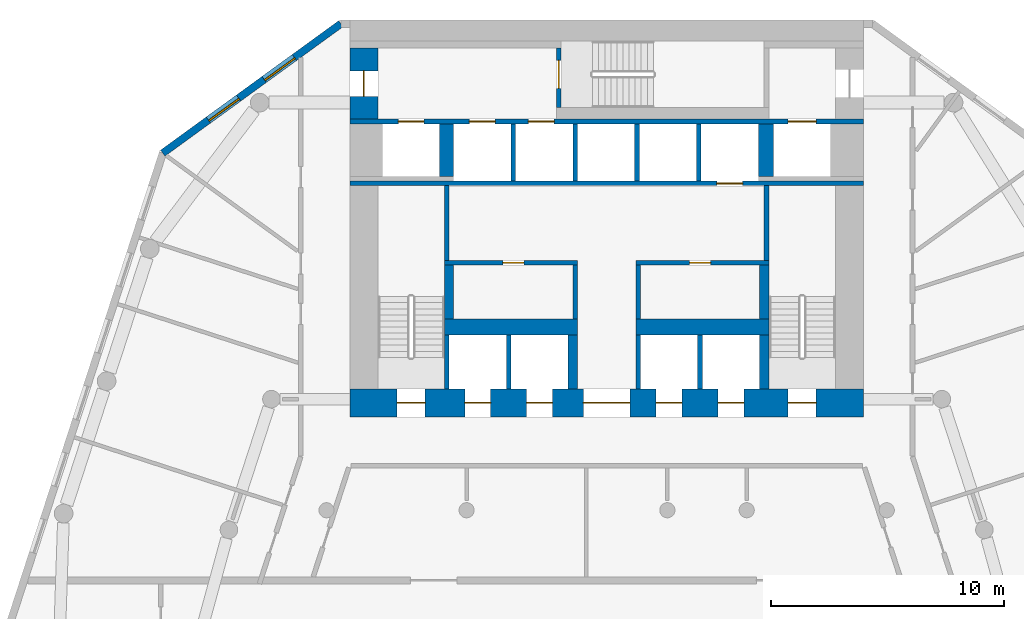
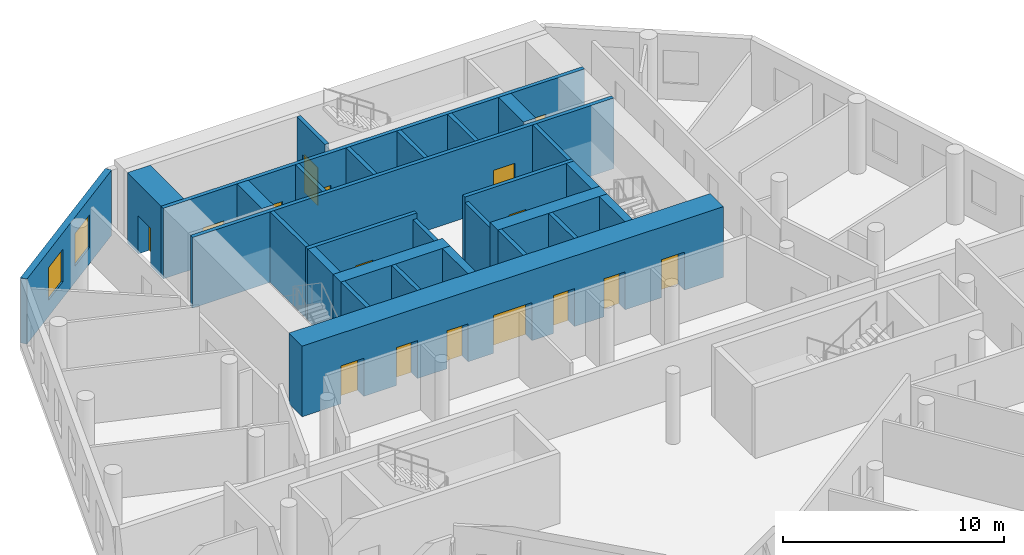
# One storey, part 5 of 9: 28 walls, 16 doors, 2 windows, 18 openings.
"""IFC4 building model written with IfcOpenShell, lengths in metres."""

from ifc_helpers import new_model, si_unit, direction, frame, frame_2d, origin, place, context, subcontext, project, spatial, rectangle, extrude, material, layer, layer_set, type_object, element, fill, save


model = new_model("IFC4")

# Units and contexts
model_context = context("Model", 3, precision=1e-05, world=origin(), true_north=direction((0.0, 1.0)))
body_context = subcontext(model_context, "Body", "Model", "MODEL_VIEW")
ifc_project = project(units=[si_unit("LENGTHUNIT", "METRE"), si_unit("AREAUNIT", "SQUARE_METRE"), si_unit("VOLUMEUNIT", "CUBIC_METRE"), si_unit("PLANEANGLEUNIT", "RADIAN"), si_unit("MASSUNIT", "GRAM", prefix="KILO")], contexts=[model_context])

# Site, building, storey
site_placement = place(None, origin())
site = spatial("IfcSite", under=ifc_project, at=site_placement, CompositionType="ELEMENT")
building_placement = place(site_placement, origin())
building = spatial("IfcBuilding", under=site, at=building_placement, Name="White Candle Pilgrim Tower", CompositionType="ELEMENT")
storey_placement = place(building_placement, frame((0.0, 0.0, 74.10009765625)))
storey = spatial("IfcBuildingStorey", under=building, at=storey_placement, Name="L15", CompositionType="ELEMENT", Elevation=74.10009765625)

# Wall, opening, door
ifc_material_1 = material(Name="Concrete C70/85", Category="concrete")
ifc_layer_1 = layer(ifc_material_1, 1.199951171875)
ifc_layer_set_1 = layer_set([ifc_layer_1], Name="Core wall 1200 mm Concrete C70/85")
wall_type_1 = type_object("IfcWallType", Name="Core wall 1200 mm Concrete C70/85", PredefinedType="SHEAR", material=ifc_layer_set_1)
wall_1_placement = place(storey_placement, frame((59.60009765625, 83.75, 0.0), z_axis=(0.0, 0.0, 1.0), x_axis=(0.0, 1.0, 0.0)))
wall_1 = element("IfcWall", 1, at=wall_1_placement, inside=storey, type_object=wall_type_1, Name="WL-L15-C42", PredefinedType="SHEAR", context=body_context, shape_type="SweptSolid", body=[
    extrude(rectangle(XDim=3.050048828125, YDim=1.199951171875, at=frame_2d((1.52490234375, 0.0))), origin(), (0.0, 0.0, 1.0), 3.89990234375),
])
opening_1_placement = place(wall_1_placement, frame((0.97509765625, 0.0, 0.0)))
opening_1 = element("IfcOpeningElement", 2, at=opening_1_placement, cuts=wall_1, Name="Opening T04-005", PredefinedType="OPENING", context=body_context, shape_type="SweptSolid", body=[
    extrude(rectangle(XDim=1.10009765625, YDim=2.10009765625, at=frame_2d((0.550048828125, 1.050048828125))), frame((0.0, 0.60986328125, 0.0), z_axis=(0.0, -1.0, 0.0), x_axis=(1.0, 0.0, 0.0)), (0.0, 0.0, 1.0), 1.219970703125),
])
ifc_material_2 = material(Name="Steel door leaf", Category="steel")
door_type_1 = type_object("IfcDoorType", Name="Fire door 1100 x 2100 EI 60", OperationType="NOTDEFINED", PredefinedType="DOOR", material=ifc_material_2)
door_1_placement = place(opening_1_placement, origin())
door_1 = element("IfcDoor", 3, at=door_1_placement, inside=storey, type_object=door_type_1, Name="Door T04-005", OperationType="SINGLE_SWING_LEFT", OverallHeight=2.10009765625, OverallWidth=1.10009765625, PredefinedType="DOOR", context=body_context, shape_type="SweptSolid", body=[
    extrude(rectangle(XDim=1.10009765625, YDim=2.10009765625, at=frame_2d((0.550048828125, 1.050048828125))), frame((0.0, 0.02490234375, 0.0), z_axis=(0.0, -1.0, 0.0), x_axis=(1.0, 0.0, 0.0)), (0.0, 0.0, 1.0), 0.050048828125),
])
fill(opening_1, door_1)

# Wall, openings, doors
ifc_layer_2 = layer(ifc_material_1, 0.199951171875)
ifc_layer_set_2 = layer_set([ifc_layer_2], Name="Core wall 200 mm Concrete C70/85")
wall_type_2 = type_object("IfcWallType", Name="Core wall 200 mm Concrete C70/85", PredefinedType="SHEAR", material=ifc_layer_set_2)
wall_2_placement = place(storey_placement, frame((59.0, 83.64990234375, 0.0), z_axis=(0.0, 0.0, 1.0), x_axis=(1.0, 0.0, 0.0)))
wall_2 = element("IfcWall", 4, at=wall_2_placement, inside=storey, type_object=wall_type_2, Name="WL-L15-C41", PredefinedType="SHEAR", context=body_context, shape_type="SweptSolid", body=[
    extrude(rectangle(XDim=22.0, YDim=0.199951171875, at=frame_2d((11.0, 0.0))), origin(), (0.0, 0.0, 1.0), 3.89990234375),
])
opening_2_placement = place(wall_2_placement, frame((5.125, 0.0, 0.0)))
opening_2 = element("IfcOpeningElement", 5, at=opening_2_placement, cuts=wall_2, Name="Opening T04-011", PredefinedType="OPENING", context=body_context, shape_type="SweptSolid", body=[
    extrude(rectangle(XDim=1.10009765625, YDim=2.10009765625, at=frame_2d((0.550048828125, 1.050048828125))), frame((0.0, 0.10986328125, 0.0), z_axis=(0.0, -1.0, 0.0), x_axis=(1.0, 0.0, 0.0)), (0.0, 0.0, 1.0), 0.219970703125),
])
opening_3_placement = place(wall_2_placement, frame((7.64990234375, 0.0, 0.0)))
opening_3 = element("IfcOpeningElement", 6, at=opening_3_placement, cuts=wall_2, Name="Opening T04-012", PredefinedType="OPENING", context=body_context, shape_type="SweptSolid", body=[
    extrude(rectangle(XDim=1.10009765625, YDim=2.10009765625, at=frame_2d((0.550048828125, 1.050048828125))), frame((0.0, 0.10986328125, 0.0), z_axis=(0.0, -1.0, 0.0), x_axis=(1.0, 0.0, 0.0)), (0.0, 0.0, 1.0), 0.219970703125),
])
opening_4_placement = place(wall_2_placement, frame((18.77490234375, 0.0, 0.0)))
opening_4 = element("IfcOpeningElement", 7, at=opening_4_placement, cuts=wall_2, Name="Opening T04-018", PredefinedType="OPENING", context=body_context, shape_type="SweptSolid", body=[
    extrude(rectangle(XDim=1.199951171875, YDim=2.10009765625, at=frame_2d((0.60009765625, 1.050048828125))), frame((0.0, 0.10986328125, 0.0), z_axis=(0.0, -1.0, 0.0), x_axis=(1.0, 0.0, 0.0)), (0.0, 0.0, 1.0), 0.219970703125),
])
opening_5_placement = place(wall_2_placement, frame((2.074951171875, 0.0, 0.0)))
opening_5 = element("IfcOpeningElement", 8, at=opening_5_placement, cuts=wall_2, Name="Opening T04-019", PredefinedType="OPENING", context=body_context, shape_type="SweptSolid", body=[
    extrude(rectangle(XDim=1.10009765625, YDim=2.10009765625, at=frame_2d((0.550048828125, 1.050048828125))), frame((0.0, 0.10986328125, 0.0), z_axis=(0.0, -1.0, 0.0), x_axis=(1.0, 0.0, 0.0)), (0.0, 0.0, 1.0), 0.219970703125),
])
ifc_material_3 = material(Name="Stainless steel", Category="steel")
door_type_2 = type_object("IfcDoorType", Name="Lift landing door 1100 x 2100 EI 60", OperationType="DOUBLE_DOOR_SLIDING", PredefinedType="DOOR", material=ifc_material_3)
door_2_placement = place(opening_2_placement, origin())
door_2 = element("IfcDoor", 9, at=door_2_placement, inside=storey, type_object=door_type_2, Name="Door T04-011", OperationType="DOUBLE_DOOR_SLIDING", OverallHeight=2.10009765625, OverallWidth=1.10009765625, PredefinedType="DOOR", context=body_context, shape_type="SweptSolid", body=[
    extrude(rectangle(XDim=1.10009765625, YDim=2.10009765625, at=frame_2d((0.550048828125, 1.050048828125))), frame((0.0, 0.02490234375, 0.0), z_axis=(0.0, -1.0, 0.0), x_axis=(1.0, 0.0, 0.0)), (0.0, 0.0, 1.0), 0.050048828125),
])
fill(opening_2, door_2)
door_3_placement = place(opening_3_placement, origin())
door_3 = element("IfcDoor", 10, at=door_3_placement, inside=storey, type_object=door_type_2, Name="Door T04-012", OperationType="DOUBLE_DOOR_SLIDING", OverallHeight=2.10009765625, OverallWidth=1.10009765625, PredefinedType="DOOR", context=body_context, shape_type="SweptSolid", body=[
    extrude(rectangle(XDim=1.10009765625, YDim=2.10009765625, at=frame_2d((0.550048828125, 1.050048828125))), frame((0.0, 0.02490234375, 0.0), z_axis=(0.0, -1.0, 0.0), x_axis=(1.0, 0.0, 0.0)), (0.0, 0.0, 1.0), 0.050048828125),
])
fill(opening_3, door_3)
door_4_placement = place(opening_5_placement, origin())
door_4 = element("IfcDoor", 11, at=door_4_placement, inside=storey, type_object=door_type_2, Name="Door T04-019", OperationType="DOUBLE_DOOR_SLIDING", OverallHeight=2.10009765625, OverallWidth=1.10009765625, PredefinedType="DOOR", context=body_context, shape_type="SweptSolid", body=[
    extrude(rectangle(XDim=1.10009765625, YDim=2.10009765625, at=frame_2d((0.550048828125, 1.050048828125))), frame((0.0, 0.02490234375, 0.0), z_axis=(0.0, -1.0, 0.0), x_axis=(1.0, 0.0, 0.0)), (0.0, 0.0, 1.0), 0.050048828125),
])
fill(opening_5, door_4)
door_type_3 = type_object("IfcDoorType", Name="Lift landing door 1200 x 2100 E 60", OperationType="DOUBLE_DOOR_SLIDING", PredefinedType="DOOR", material=ifc_material_3)
door_5_placement = place(opening_4_placement, origin())
door_5 = element("IfcDoor", 12, at=door_5_placement, inside=storey, type_object=door_type_3, Name="Door T04-018", OperationType="DOUBLE_DOOR_SLIDING", OverallHeight=2.10009765625, OverallWidth=1.199951171875, PredefinedType="DOOR", context=body_context, shape_type="SweptSolid", body=[
    extrude(rectangle(XDim=1.199951171875, YDim=2.10009765625, at=frame_2d((0.60009765625, 1.050048828125))), frame((0.0, 0.02490234375, 0.0), z_axis=(0.0, -1.0, 0.0), x_axis=(1.0, 0.0, 0.0)), (0.0, 0.0, 1.0), 0.050048828125),
])
fill(opening_4, door_5)

# Wall, openings, windows
ifc_material_4 = material(Name="Precast concrete C40/50", Category="concrete")
ifc_layer_3 = layer(ifc_material_4, 0.320068359375)
ifc_layer_set_3 = layer_set([ifc_layer_3], Name="Facade wall EW1 precast concrete C40/50 pier wall with timber-lined reveals")
wall_type_3 = type_object("IfcWallType", Name="Facade wall EW1 precast concrete C40/50 pier wall with timber-lined reveals", PredefinedType="SOLIDWALL", material=ifc_layer_set_3)
wall_3_placement = place(storey_placement, frame((58.614990234375, 87.840087890625, 0.0), z_axis=(0.0, 0.0, 1.0), x_axis=(-0.809013639072, -0.587789870443, 0.0)))
wall_3 = element("IfcWall", 13, at=wall_3_placement, inside=storey, type_object=wall_type_3, Name="Facade wall L15 NW chamfer", PredefinedType="SOLIDWALL", context=body_context, shape_type="SweptSolid", body=[
    extrude(rectangle(XDim=9.43017578125, YDim=0.320068359375, at=frame_2d((4.715087890625, 0.0))), origin(), (0.0, 0.0, 1.0), 3.599853515625),
])
opening_6_placement = place(wall_3_placement, frame((2.459716796875, 0.0, 0.89990234375)))
opening_6 = element("IfcOpeningElement", 14, at=opening_6_placement, cuts=wall_3, Name="Opening W2", PredefinedType="OPENING", context=body_context, shape_type="SweptSolid", body=[
    extrude(rectangle(XDim=1.60009765625, YDim=1.800048828125, at=frame_2d((0.800048828125, 0.89990234375))), frame((0.0, 0.169921875, 0.0), z_axis=(0.0, -1.0, 0.0), x_axis=(1.0, 0.0, 0.0)), (0.0, 0.0, 1.0), 0.340087890625),
])
opening_7_placement = place(wall_3_placement, frame((5.4150390625, 0.0, 0.89990234375)))
opening_7 = element("IfcOpeningElement", 15, at=opening_7_placement, cuts=wall_3, Name="Opening W2", PredefinedType="OPENING", context=body_context, shape_type="SweptSolid", body=[
    extrude(rectangle(XDim=1.60009765625, YDim=1.800048828125, at=frame_2d((0.800048828125, 0.89990234375))), frame((0.0, 0.169921875, 0.0), z_axis=(0.0, -1.0, 0.0), x_axis=(1.0, 0.0, 0.0)), (0.0, 0.0, 1.0), 0.340087890625),
])
ifc_material_5 = material(Name="Timber frame with triple glazing", Category="wood")
window_type = type_object("IfcWindowType", Name="Window W2 1600x1800 timber frame triple glazing", PartitioningType="SINGLE_PANEL", PredefinedType="WINDOW", material=ifc_material_5)
window_1_placement = place(opening_6_placement, origin())
window_1 = element("IfcWindow", 16, at=window_1_placement, inside=storey, type_object=window_type, Name="Window W2 L15 NW chamfer 1", OverallHeight=1.800048828125, OverallWidth=1.60009765625, PartitioningType="SINGLE_PANEL", PredefinedType="WINDOW", context=body_context, shape_type="SweptSolid", body=[
    extrude(rectangle(XDim=1.60009765625, YDim=1.800048828125, at=frame_2d((0.800048828125, 0.89990234375))), frame((0.0, 0.070068359375, 0.0), z_axis=(0.0, -1.0, 0.0), x_axis=(1.0, 0.0, 0.0)), (0.0, 0.0, 1.0), 0.06005859375),
])
fill(opening_6, window_1)
window_2_placement = place(opening_7_placement, origin())
window_2 = element("IfcWindow", 17, at=window_2_placement, inside=storey, type_object=window_type, Name="Window W2 L15 NW chamfer 2", OverallHeight=1.800048828125, OverallWidth=1.60009765625, PartitioningType="SINGLE_PANEL", PredefinedType="WINDOW", context=body_context, shape_type="SweptSolid", body=[
    extrude(rectangle(XDim=1.60009765625, YDim=1.800048828125, at=frame_2d((0.800048828125, 0.89990234375))), frame((0.0, 0.070068359375, 0.0), z_axis=(0.0, -1.0, 0.0), x_axis=(1.0, 0.0, 0.0)), (0.0, 0.0, 1.0), 0.06005859375),
])
fill(opening_7, window_2)

# Walls
ifc_material_6 = material(Name="Gypsum board on steel studs", Category="steel")
ifc_layer_4 = layer(ifc_material_6, 0.199951171875)
ifc_layer_set_4 = layer_set([ifc_layer_4], Name="Lobby wall 200 mm EI 60")
wall_type_4 = type_object("IfcWallType", Name="Lobby wall 200 mm EI 60", PredefinedType="PARTITIONING", material=ifc_layer_set_4)
for number, where, z_axis, x_axis, name in (
    (18, (68.64990234375, 75.199951171875, 0.0), (0.0, 0.0, 1.0), (0.0, 1.0, 0.0), "WL-L15-C23"),
    (19, (71.35009765625, 75.199951171875, 0.0), (0.0, 0.0, 1.0), (0.0, 1.0, 0.0), "WL-L15-C24"),
):
    element("IfcWall", number, at=place(storey_placement, frame(where, z_axis=z_axis, x_axis=x_axis)), inside=storey, type_object=wall_type_4, Name=name, PredefinedType="PARTITIONING", context=body_context, shape_type="SweptSolid", body=[
        extrude(rectangle(XDim=2.300048828125, YDim=0.199951171875, at=frame_2d((1.14990234375, 0.0))), origin(), (0.0, 0.0, 1.0), 3.599853515625),
    ])
ifc_layer_5 = layer(ifc_material_1, 0.199951171875)
ifc_layer_set_5 = layer_set([ifc_layer_5], Name="Shaft wall 200 mm Concrete C70/85")
wall_type_5 = type_object("IfcWallType", Name="Shaft wall 200 mm Concrete C70/85", PredefinedType="SHEAR", material=ifc_layer_set_5)
for number, where, z_axis, x_axis, name in (
    (20, (65.800048828125, 72.199951171875, 0.0), (0.0, 0.0, 1.0), (0.0, 1.0, 0.0), "WL-L15-C14"),
    (21, (71.35009765625, 72.199951171875, 0.0), (0.0, 0.0, 1.0), (0.0, 1.0, 0.0), "WL-L15-C16"),
    (22, (74.0, 72.199951171875, 0.0), (0.0, 0.0, 1.0), (0.0, 1.0, 0.0), "WL-L15-C17"),
):
    element("IfcWall", number, at=place(storey_placement, frame(where, z_axis=z_axis, x_axis=x_axis)), inside=storey, type_object=wall_type_5, Name=name, PredefinedType="SHEAR", context=body_context, shape_type="SweptSolid", body=[
        extrude(rectangle(XDim=2.300048828125, YDim=0.199951171875, at=frame_2d((1.14990234375, 0.0))), origin(), (0.0, 0.0, 1.0), 3.89990234375),
    ])
for number, where, z_axis, x_axis, name in (
    (23, (66.0, 81.10009765625, 0.0), (0.0, 0.0, 1.0), (0.0, 1.0, 0.0), "WL-L15-C32"),
    (24, (68.64990234375, 81.10009765625, 0.0), (0.0, 0.0, 1.0), (0.0, 1.0, 0.0), "WL-L15-C33"),
    (25, (71.300048828125, 81.10009765625, 0.0), (0.0, 0.0, 1.0), (0.0, 1.0, 0.0), "WL-L15-C34"),
    (26, (73.949951171875, 81.10009765625, 0.0), (0.0, 0.0, 1.0), (0.0, 1.0, 0.0), "WL-L15-C35"),
):
    element("IfcWall", number, at=place(storey_placement, frame(where, z_axis=z_axis, x_axis=x_axis)), inside=storey, type_object=wall_type_5, Name=name, PredefinedType="SHEAR", context=body_context, shape_type="SweptSolid", body=[
        extrude(rectangle(XDim=2.449951171875, YDim=0.199951171875, at=frame_2d((1.22509765625, 0.0))), origin(), (0.0, 0.0, 1.0), 3.89990234375),
    ])
ifc_layer_6 = layer(ifc_material_1, 0.39990234375)
ifc_layer_set_6 = layer_set([ifc_layer_6], Name="Shaft wall 400 mm Concrete C70/85")
wall_type_6 = type_object("IfcWallType", Name="Shaft wall 400 mm Concrete C70/85", PredefinedType="SHEAR", material=ifc_layer_set_6)
wall_4_placement = place(storey_placement, frame((68.550048828125, 72.199951171875, 0.0), z_axis=(0.0, 0.0, 1.0), x_axis=(0.0, 1.0, 0.0)))
element("IfcWall", 27, at=wall_4_placement, inside=storey, type_object=wall_type_6, Name="WL-L15-C15", PredefinedType="SHEAR", context=body_context, shape_type="SweptSolid", body=[
    extrude(rectangle(XDim=2.300048828125, YDim=0.39990234375, at=frame_2d((1.14990234375, 0.0))), origin(), (0.0, 0.0, 1.0), 3.89990234375),
])
ifc_layer_7 = layer(ifc_material_1, 0.60009765625)
ifc_layer_set_7 = layer_set([ifc_layer_7], Name="Shaft wall 600 mm Concrete C70/85")
wall_type_7 = type_object("IfcWallType", Name="Shaft wall 600 mm Concrete C70/85", PredefinedType="SHEAR", material=ifc_layer_set_7)
wall_5_placement = place(storey_placement, frame((63.14990234375, 81.300048828125, 0.0), z_axis=(0.0, 0.0, 1.0), x_axis=(0.0, 1.0, 0.0)))
element("IfcWall", 28, at=wall_5_placement, inside=storey, type_object=wall_type_7, Name="WL-L15-C38", PredefinedType="SHEAR", context=body_context, shape_type="SweptSolid", body=[
    extrude(rectangle(XDim=2.25, YDim=0.60009765625, at=frame_2d((1.125, 0.0))), origin(), (0.0, 0.0, 1.0), 3.89990234375),
])
ifc_layer_8 = layer(ifc_material_1, 0.64990234375)
ifc_layer_set_8 = layer_set([ifc_layer_8], Name="Shaft wall 650 mm Concrete C70/85")
wall_type_8 = type_object("IfcWallType", Name="Shaft wall 650 mm Concrete C70/85", PredefinedType="SHEAR", material=ifc_layer_set_8)
wall_6_placement = place(storey_placement, frame((76.824951171875, 81.300048828125, 0.0), z_axis=(0.0, 0.0, 1.0), x_axis=(0.0, 1.0, 0.0)))
element("IfcWall", 29, at=wall_6_placement, inside=storey, type_object=wall_type_8, Name="WL-L15-C39", PredefinedType="SHEAR", context=body_context, shape_type="SweptSolid", body=[
    extrude(rectangle(XDim=2.25, YDim=0.64990234375, at=frame_2d((1.125, 0.0))), origin(), (0.0, 0.0, 1.0), 3.89990234375),
])

# Wall, openings, doors
ifc_layer_9 = layer(ifc_material_1, 1.199951171875)
ifc_layer_set_9 = layer_set([ifc_layer_9], Name="Stair shaft wall 1200 mm Concrete C70/85")
wall_type_9 = type_object("IfcWallType", Name="Stair shaft wall 1200 mm Concrete C70/85", PredefinedType="SHEAR", material=ifc_layer_set_9)
wall_7_placement = place(storey_placement, frame((59.0, 71.60009765625, 0.0), z_axis=(0.0, 0.0, 1.0), x_axis=(1.0, 0.0, 0.0)))
wall_7 = element("IfcWall", 30, at=wall_7_placement, inside=storey, type_object=wall_type_9, Name="WL-L15-C11", PredefinedType="SHEAR", context=body_context, shape_type="SweptSolid", body=[
    extrude(rectangle(XDim=22.0, YDim=1.199951171875, at=frame_2d((11.0, 0.0))), origin(), (0.0, 0.0, 1.0), 3.89990234375),
])
opening_8_placement = place(wall_7_placement, frame((2.02490234375, 0.0, 0.0)))
opening_8 = element("IfcOpeningElement", 31, at=opening_8_placement, cuts=wall_7, Name="Opening T04-001", PredefinedType="OPENING", context=body_context, shape_type="SweptSolid", body=[
    extrude(rectangle(XDim=1.199951171875, YDim=2.10009765625, at=frame_2d((0.60009765625, 1.050048828125))), frame((0.0, 0.60986328125, 0.0), z_axis=(0.0, -1.0, 0.0), x_axis=(1.0, 0.0, 0.0)), (0.0, 0.0, 1.0), 1.219970703125),
])
opening_9_placement = place(wall_7_placement, frame((18.77490234375, 0.0, 0.0)))
opening_9 = element("IfcOpeningElement", 32, at=opening_9_placement, cuts=wall_7, Name="Opening T04-002", PredefinedType="OPENING", context=body_context, shape_type="SweptSolid", body=[
    extrude(rectangle(XDim=1.199951171875, YDim=2.10009765625, at=frame_2d((0.60009765625, 1.050048828125))), frame((0.0, 0.60986328125, 0.0), z_axis=(0.0, -1.0, 0.0), x_axis=(1.0, 0.0, 0.0)), (0.0, 0.0, 1.0), 1.219970703125),
])
opening_10_placement = place(wall_7_placement, frame((10.0, 0.0, 0.0)))
opening_10 = element("IfcOpeningElement", 33, at=opening_10_placement, cuts=wall_7, Name="Opening T04-004", PredefinedType="OPENING", context=body_context, shape_type="SweptSolid", body=[
    extrude(rectangle(XDim=2.0, YDim=2.10009765625, at=frame_2d((1.0, 1.050048828125))), frame((0.0, 0.60986328125, 0.0), z_axis=(0.0, -1.0, 0.0), x_axis=(1.0, 0.0, 0.0)), (0.0, 0.0, 1.0), 1.219970703125),
])
opening_11_placement = place(wall_7_placement, frame((4.925048828125, 0.0, 0.0)))
opening_11 = element("IfcOpeningElement", 34, at=opening_11_placement, cuts=wall_7, Name="Opening T04-014", PredefinedType="OPENING", context=body_context, shape_type="SweptSolid", body=[
    extrude(rectangle(XDim=1.10009765625, YDim=2.10009765625, at=frame_2d((0.550048828125, 1.050048828125))), frame((0.0, 0.60986328125, 0.0), z_axis=(0.0, -1.0, 0.0), x_axis=(1.0, 0.0, 0.0)), (0.0, 0.0, 1.0), 1.219970703125),
])
opening_12_placement = place(wall_7_placement, frame((7.574951171875, 0.0, 0.0)))
opening_12 = element("IfcOpeningElement", 35, at=opening_12_placement, cuts=wall_7, Name="Opening T04-015", PredefinedType="OPENING", context=body_context, shape_type="SweptSolid", body=[
    extrude(rectangle(XDim=1.10009765625, YDim=2.10009765625, at=frame_2d((0.550048828125, 1.050048828125))), frame((0.0, 0.60986328125, 0.0), z_axis=(0.0, -1.0, 0.0), x_axis=(1.0, 0.0, 0.0)), (0.0, 0.0, 1.0), 1.219970703125),
])
opening_13_placement = place(wall_7_placement, frame((13.125, 0.0, 0.0)))
opening_13 = element("IfcOpeningElement", 36, at=opening_13_placement, cuts=wall_7, Name="Opening T04-016", PredefinedType="OPENING", context=body_context, shape_type="SweptSolid", body=[
    extrude(rectangle(XDim=1.10009765625, YDim=2.10009765625, at=frame_2d((0.550048828125, 1.050048828125))), frame((0.0, 0.60986328125, 0.0), z_axis=(0.0, -1.0, 0.0), x_axis=(1.0, 0.0, 0.0)), (0.0, 0.0, 1.0), 1.219970703125),
])
opening_14_placement = place(wall_7_placement, frame((15.77490234375, 0.0, 0.0)))
opening_14 = element("IfcOpeningElement", 37, at=opening_14_placement, cuts=wall_7, Name="Opening T04-017", PredefinedType="OPENING", context=body_context, shape_type="SweptSolid", body=[
    extrude(rectangle(XDim=1.10009765625, YDim=2.10009765625, at=frame_2d((0.550048828125, 1.050048828125))), frame((0.0, 0.60986328125, 0.0), z_axis=(0.0, -1.0, 0.0), x_axis=(1.0, 0.0, 0.0)), (0.0, 0.0, 1.0), 1.219970703125),
])
door_type_4 = type_object("IfcDoorType", Name="Fire door 1200 x 2100 EI 60", OperationType="NOTDEFINED", PredefinedType="DOOR", material=ifc_material_2)
door_6_placement = place(opening_8_placement, frame((1.199951171875, 0.0, 0.0), z_axis=(0.0, 0.0, 1.0), x_axis=(-1.0, 0.0, 0.0)))
door_6 = element("IfcDoor", 38, at=door_6_placement, inside=storey, type_object=door_type_4, Name="Door T04-001", OperationType="SINGLE_SWING_RIGHT", OverallHeight=2.10009765625, OverallWidth=1.199951171875, PredefinedType="DOOR", context=body_context, shape_type="SweptSolid", body=[
    extrude(rectangle(XDim=1.199951171875, YDim=2.10009765625, at=frame_2d((0.60009765625, 1.050048828125))), frame((0.0, 0.02490234375, 0.0), z_axis=(0.0, -1.0, 0.0), x_axis=(1.0, 0.0, 0.0)), (0.0, 0.0, 1.0), 0.050048828125),
])
fill(opening_8, door_6)
door_7_placement = place(opening_9_placement, frame((1.199951171875, 0.0, 0.0), z_axis=(0.0, 0.0, 1.0), x_axis=(-1.0, 0.0, 0.0)))
door_7 = element("IfcDoor", 39, at=door_7_placement, inside=storey, type_object=door_type_4, Name="Door T04-002", OperationType="SINGLE_SWING_LEFT", OverallHeight=2.10009765625, OverallWidth=1.199951171875, PredefinedType="DOOR", context=body_context, shape_type="SweptSolid", body=[
    extrude(rectangle(XDim=1.199951171875, YDim=2.10009765625, at=frame_2d((0.60009765625, 1.050048828125))), frame((0.0, 0.02490234375, 0.0), z_axis=(0.0, -1.0, 0.0), x_axis=(1.0, 0.0, 0.0)), (0.0, 0.0, 1.0), 0.050048828125),
])
fill(opening_9, door_7)
door_type_5 = type_object("IfcDoorType", Name="Fire door 2000 x 2100 EI 60", OperationType="NOTDEFINED", PredefinedType="DOOR", material=ifc_material_2)
door_8_placement = place(opening_10_placement, frame((2.0, 0.0, 0.0), z_axis=(0.0, 0.0, 1.0), x_axis=(-1.0, 0.0, 0.0)))
door_8 = element("IfcDoor", 40, at=door_8_placement, inside=storey, type_object=door_type_5, Name="Door T04-004", OperationType="DOUBLE_DOOR_SINGLE_SWING", OverallHeight=2.10009765625, OverallWidth=2.0, PredefinedType="DOOR", context=body_context, shape_type="SweptSolid", body=[
    extrude(rectangle(XDim=2.0, YDim=2.10009765625, at=frame_2d((1.0, 1.050048828125))), frame((0.0, 0.02490234375, 0.0), z_axis=(0.0, -1.0, 0.0), x_axis=(1.0, 0.0, 0.0)), (0.0, 0.0, 1.0), 0.050048828125),
])
fill(opening_10, door_8)
door_type_6 = type_object("IfcDoorType", Name="Lift landing door 1100 x 2100 E 60", OperationType="DOUBLE_DOOR_SLIDING", PredefinedType="DOOR", material=ifc_material_3)
door_9_placement = place(opening_11_placement, origin())
door_9 = element("IfcDoor", 41, at=door_9_placement, inside=storey, type_object=door_type_6, Name="Door T04-014", OperationType="DOUBLE_DOOR_SLIDING", OverallHeight=2.10009765625, OverallWidth=1.10009765625, PredefinedType="DOOR", context=body_context, shape_type="SweptSolid", body=[
    extrude(rectangle(XDim=1.10009765625, YDim=2.10009765625, at=frame_2d((0.550048828125, 1.050048828125))), frame((0.0, 0.02490234375, 0.0), z_axis=(0.0, -1.0, 0.0), x_axis=(1.0, 0.0, 0.0)), (0.0, 0.0, 1.0), 0.050048828125),
])
fill(opening_11, door_9)
door_10_placement = place(opening_12_placement, origin())
door_10 = element("IfcDoor", 42, at=door_10_placement, inside=storey, type_object=door_type_6, Name="Door T04-015", OperationType="DOUBLE_DOOR_SLIDING", OverallHeight=2.10009765625, OverallWidth=1.10009765625, PredefinedType="DOOR", context=body_context, shape_type="SweptSolid", body=[
    extrude(rectangle(XDim=1.10009765625, YDim=2.10009765625, at=frame_2d((0.550048828125, 1.050048828125))), frame((0.0, 0.02490234375, 0.0), z_axis=(0.0, -1.0, 0.0), x_axis=(1.0, 0.0, 0.0)), (0.0, 0.0, 1.0), 0.050048828125),
])
fill(opening_12, door_10)
door_11_placement = place(opening_13_placement, origin())
door_11 = element("IfcDoor", 43, at=door_11_placement, inside=storey, type_object=door_type_6, Name="Door T04-016", OperationType="DOUBLE_DOOR_SLIDING", OverallHeight=2.10009765625, OverallWidth=1.10009765625, PredefinedType="DOOR", context=body_context, shape_type="SweptSolid", body=[
    extrude(rectangle(XDim=1.10009765625, YDim=2.10009765625, at=frame_2d((0.550048828125, 1.050048828125))), frame((0.0, 0.02490234375, 0.0), z_axis=(0.0, -1.0, 0.0), x_axis=(1.0, 0.0, 0.0)), (0.0, 0.0, 1.0), 0.050048828125),
])
fill(opening_13, door_11)
door_12_placement = place(opening_14_placement, origin())
door_12 = element("IfcDoor", 44, at=door_12_placement, inside=storey, type_object=door_type_6, Name="Door T04-017", OperationType="DOUBLE_DOOR_SLIDING", OverallHeight=2.10009765625, OverallWidth=1.10009765625, PredefinedType="DOOR", context=body_context, shape_type="SweptSolid", body=[
    extrude(rectangle(XDim=1.10009765625, YDim=2.10009765625, at=frame_2d((0.550048828125, 1.050048828125))), frame((0.0, 0.02490234375, 0.0), z_axis=(0.0, -1.0, 0.0), x_axis=(1.0, 0.0, 0.0)), (0.0, 0.0, 1.0), 0.050048828125),
])
fill(opening_14, door_12)

# Wall
ifc_layer_10 = layer(ifc_material_1, 0.199951171875)
ifc_layer_set_10 = layer_set([ifc_layer_10], Name="Stair shaft wall 200 mm Concrete C70/85")
wall_type_10 = type_object("IfcWallType", Name="Stair shaft wall 200 mm Concrete C70/85", PredefinedType="SHEAR", material=ifc_layer_set_10)
wall_8_placement = place(storey_placement, frame((63.14990234375, 72.199951171875, 0.0), z_axis=(0.0, 0.0, 1.0), x_axis=(0.0, 1.0, 0.0)))
element("IfcWall", 45, at=wall_8_placement, inside=storey, type_object=wall_type_10, Name="WL-L15-C13", PredefinedType="SHEAR", context=body_context, shape_type="SweptSolid", body=[
    extrude(rectangle(XDim=2.300048828125, YDim=0.199951171875, at=frame_2d((1.14990234375, 0.0))), origin(), (0.0, 0.0, 1.0), 3.89990234375),
])

# Wall, opening, door
wall_9_placement = place(storey_placement, frame((63.050048828125, 77.60009765625, 0.0), z_axis=(0.0, 0.0, 1.0), x_axis=(1.0, 0.0, 0.0)))
wall_9 = element("IfcWall", 46, at=wall_9_placement, inside=storey, type_object=wall_type_10, Name="WL-L15-C26", PredefinedType="SHEAR", context=body_context, shape_type="SweptSolid", body=[
    extrude(rectangle(XDim=5.699951171875, YDim=0.199951171875, at=frame_2d((2.85009765625, 0.0))), origin(), (0.0, 0.0, 1.0), 3.89990234375),
])
opening_15_placement = place(wall_9_placement, frame((2.5, 0.0, 0.0)))
opening_15 = element("IfcOpeningElement", 47, at=opening_15_placement, cuts=wall_9, Name="Opening T04-020", PredefinedType="OPENING", context=body_context, shape_type="SweptSolid", body=[
    extrude(rectangle(XDim=0.89990234375, YDim=2.10009765625, at=frame_2d((0.449951171875, 1.050048828125))), frame((0.0, 0.10986328125, 0.0), z_axis=(0.0, -1.0, 0.0), x_axis=(1.0, 0.0, 0.0)), (0.0, 0.0, 1.0), 0.219970703125),
])
door_type_7 = type_object("IfcDoorType", Name="Fire door 900 x 2100 EI 30", OperationType="NOTDEFINED", PredefinedType="DOOR", material=ifc_material_2)
door_13_placement = place(opening_15_placement, origin())
door_13 = element("IfcDoor", 48, at=door_13_placement, inside=storey, type_object=door_type_7, Name="Door T04-020", OperationType="SINGLE_SWING_RIGHT", OverallHeight=2.10009765625, OverallWidth=0.89990234375, PredefinedType="DOOR", context=body_context, shape_type="SweptSolid", body=[
    extrude(rectangle(XDim=0.89990234375, YDim=2.10009765625, at=frame_2d((0.449951171875, 1.050048828125))), frame((0.0, 0.02490234375, 0.0), z_axis=(0.0, -1.0, 0.0), x_axis=(1.0, 0.0, 0.0)), (0.0, 0.0, 1.0), 0.050048828125),
])
fill(opening_15, door_13)

wall_10_placement = place(storey_placement, frame((71.25, 77.60009765625, 0.0), z_axis=(0.0, 0.0, 1.0), x_axis=(1.0, 0.0, 0.0)))
wall_10 = element("IfcWall", 49, at=wall_10_placement, inside=storey, type_object=wall_type_10, Name="WL-L15-C27", PredefinedType="SHEAR", context=body_context, shape_type="SweptSolid", body=[
    extrude(rectangle(XDim=5.699951171875, YDim=0.199951171875, at=frame_2d((2.85009765625, 0.0))), origin(), (0.0, 0.0, 1.0), 3.89990234375),
])
opening_16_placement = place(wall_10_placement, frame((2.300048828125, 0.0, 0.0)))
opening_16 = element("IfcOpeningElement", 50, at=opening_16_placement, cuts=wall_10, Name="Opening T04-021", PredefinedType="OPENING", context=body_context, shape_type="SweptSolid", body=[
    extrude(rectangle(XDim=0.89990234375, YDim=2.10009765625, at=frame_2d((0.449951171875, 1.050048828125))), frame((0.0, 0.10986328125, 0.0), z_axis=(0.0, -1.0, 0.0), x_axis=(1.0, 0.0, 0.0)), (0.0, 0.0, 1.0), 0.219970703125),
])
door_14_placement = place(opening_16_placement, origin())
door_14 = element("IfcDoor", 51, at=door_14_placement, inside=storey, type_object=door_type_7, Name="Door T04-021", OperationType="SINGLE_SWING_LEFT", OverallHeight=2.10009765625, OverallWidth=0.89990234375, PredefinedType="DOOR", context=body_context, shape_type="SweptSolid", body=[
    extrude(rectangle(XDim=0.89990234375, YDim=2.10009765625, at=frame_2d((0.449951171875, 1.050048828125))), frame((0.0, 0.02490234375, 0.0), z_axis=(0.0, -1.0, 0.0), x_axis=(1.0, 0.0, 0.0)), (0.0, 0.0, 1.0), 0.050048828125),
])
fill(opening_16, door_14)

# Walls
for number, where, z_axis, x_axis, name in (
    (52, (63.14990234375, 77.699951171875, 0.0), (0.0, 0.0, 1.0), (0.0, 1.0, 0.0), "WL-L15-C28"),
    (53, (76.85009765625, 77.699951171875, 0.0), (0.0, 0.0, 1.0), (0.0, 1.0, 0.0), "WL-L15-C29"),
):
    element("IfcWall", number, at=place(storey_placement, frame(where, z_axis=z_axis, x_axis=x_axis)), inside=storey, type_object=wall_type_10, Name=name, PredefinedType="SHEAR", context=body_context, shape_type="SweptSolid", body=[
        extrude(rectangle(XDim=3.199951171875, YDim=0.199951171875, at=frame_2d((1.60009765625, 0.0))), origin(), (0.0, 0.0, 1.0), 3.89990234375),
    ])

# Wall, opening, door
wall_11_placement = place(storey_placement, frame((59.0, 81.0, 0.0), z_axis=(0.0, 0.0, 1.0), x_axis=(1.0, 0.0, 0.0)))
wall_11 = element("IfcWall", 54, at=wall_11_placement, inside=storey, type_object=wall_type_10, Name="WL-L15-C30", PredefinedType="SHEAR", context=body_context, shape_type="SweptSolid", body=[
    extrude(rectangle(XDim=22.0, YDim=0.199951171875, at=frame_2d((11.0, 0.0))), origin(), (0.0, 0.0, 1.0), 3.89990234375),
])
opening_17_placement = place(wall_11_placement, frame((15.72509765625, 0.0, 0.0)))
opening_17 = element("IfcOpeningElement", 55, at=opening_17_placement, cuts=wall_11, Name="Opening T04-013", PredefinedType="OPENING", context=body_context, shape_type="SweptSolid", body=[
    extrude(rectangle(XDim=1.10009765625, YDim=2.10009765625, at=frame_2d((0.550048828125, 1.050048828125))), frame((0.0, 0.10986328125, 0.0), z_axis=(0.0, -1.0, 0.0), x_axis=(1.0, 0.0, 0.0)), (0.0, 0.0, 1.0), 0.219970703125),
])
door_15_placement = place(opening_17_placement, origin())
door_15 = element("IfcDoor", 56, at=door_15_placement, inside=storey, type_object=door_type_6, Name="Door T04-013", OperationType="DOUBLE_DOOR_SLIDING", OverallHeight=2.10009765625, OverallWidth=1.10009765625, PredefinedType="DOOR", context=body_context, shape_type="SweptSolid", body=[
    extrude(rectangle(XDim=1.10009765625, YDim=2.10009765625, at=frame_2d((0.550048828125, 1.050048828125))), frame((0.0, 0.02490234375, 0.0), z_axis=(0.0, -1.0, 0.0), x_axis=(1.0, 0.0, 0.0)), (0.0, 0.0, 1.0), 0.050048828125),
])
fill(opening_17, door_15)

wall_12_placement = place(storey_placement, frame((67.949951171875, 84.25, 0.0), z_axis=(0.0, 0.0, 1.0), x_axis=(0.0, 1.0, 0.0)))
wall_12 = element("IfcWall", 57, at=wall_12_placement, inside=storey, type_object=wall_type_10, Name="WL-L15-C45", PredefinedType="SHEAR", context=body_context, shape_type="SweptSolid", body=[
    extrude(rectangle(XDim=2.550048828125, YDim=0.199951171875, at=frame_2d((1.27490234375, 0.0))), origin(), (0.0, 0.0, 1.0), 3.89990234375),
])
opening_18_placement = place(wall_12_placement, frame((0.824951171875, 0.0, 0.0)))
opening_18 = element("IfcOpeningElement", 58, at=opening_18_placement, cuts=wall_12, Name="Opening T04-003", PredefinedType="OPENING", context=body_context, shape_type="SweptSolid", body=[
    extrude(rectangle(XDim=1.199951171875, YDim=2.10009765625, at=frame_2d((0.60009765625, 1.050048828125))), frame((0.0, 0.10986328125, 0.0), z_axis=(0.0, -1.0, 0.0), x_axis=(1.0, 0.0, 0.0)), (0.0, 0.0, 1.0), 0.219970703125),
])
door_16_placement = place(opening_18_placement, frame((1.199951171875, 0.0, 0.0), z_axis=(0.0, 0.0, 1.0), x_axis=(-1.0, 0.0, 0.0)))
door_16 = element("IfcDoor", 59, at=door_16_placement, inside=storey, type_object=door_type_4, Name="Door T04-003", OperationType="SINGLE_SWING_RIGHT", OverallHeight=2.10009765625, OverallWidth=1.199951171875, PredefinedType="DOOR", context=body_context, shape_type="SweptSolid", body=[
    extrude(rectangle(XDim=1.199951171875, YDim=2.10009765625, at=frame_2d((0.60009765625, 1.050048828125))), frame((0.0, 0.02490234375, 0.0), z_axis=(0.0, -1.0, 0.0), x_axis=(1.0, 0.0, 0.0)), (0.0, 0.0, 1.0), 0.050048828125),
])
fill(opening_18, door_16)

# Walls
ifc_layer_11 = layer(ifc_material_1, 0.39990234375)
ifc_layer_set_11 = layer_set([ifc_layer_11], Name="Stair shaft wall 400 mm Concrete C70/85")
wall_type_11 = type_object("IfcWallType", Name="Stair shaft wall 400 mm Concrete C70/85", PredefinedType="SHEAR", material=ifc_layer_set_11)
for number, where, z_axis, x_axis, name in (
    (60, (76.75, 72.199951171875, 0.0), (0.0, 0.0, 1.0), (0.0, 1.0, 0.0), "WL-L15-C18"),
    (61, (63.25, 75.199951171875, 0.0), (0.0, 0.0, 1.0), (0.0, 1.0, 0.0), "WL-L15-C22"),
    (62, (76.75, 75.199951171875, 0.0), (0.0, 0.0, 1.0), (0.0, 1.0, 0.0), "WL-L15-C25"),
):
    element("IfcWall", number, at=place(storey_placement, frame(where, z_axis=z_axis, x_axis=x_axis)), inside=storey, type_object=wall_type_11, Name=name, PredefinedType="SHEAR", context=body_context, shape_type="SweptSolid", body=[
        extrude(rectangle(XDim=2.300048828125, YDim=0.39990234375, at=frame_2d((1.14990234375, 0.0))), origin(), (0.0, 0.0, 1.0), 3.89990234375),
    ])
ifc_layer_12 = layer(ifc_material_1, 0.699951171875)
ifc_layer_set_12 = layer_set([ifc_layer_12], Name="Stair shaft wall 700 mm Concrete C70/85")
wall_type_12 = type_object("IfcWallType", Name="Stair shaft wall 700 mm Concrete C70/85", PredefinedType="SHEAR", material=ifc_layer_set_12)
for number, where, z_axis, x_axis, name in (
    (63, (63.050048828125, 74.85009765625, 0.0), (0.0, 0.0, 1.0), (1.0, 0.0, 0.0), "WL-L15-C20"),
    (64, (71.25, 74.85009765625, 0.0), (0.0, 0.0, 1.0), (1.0, 0.0, 0.0), "WL-L15-C21"),
):
    element("IfcWall", number, at=place(storey_placement, frame(where, z_axis=z_axis, x_axis=x_axis)), inside=storey, type_object=wall_type_12, Name=name, PredefinedType="SHEAR", context=body_context, shape_type="SweptSolid", body=[
        extrude(rectangle(XDim=5.699951171875, YDim=0.699951171875, at=frame_2d((2.85009765625, 0.0))), origin(), (0.0, 0.0, 1.0), 3.89990234375),
    ])

save(model, "model.ifc")
